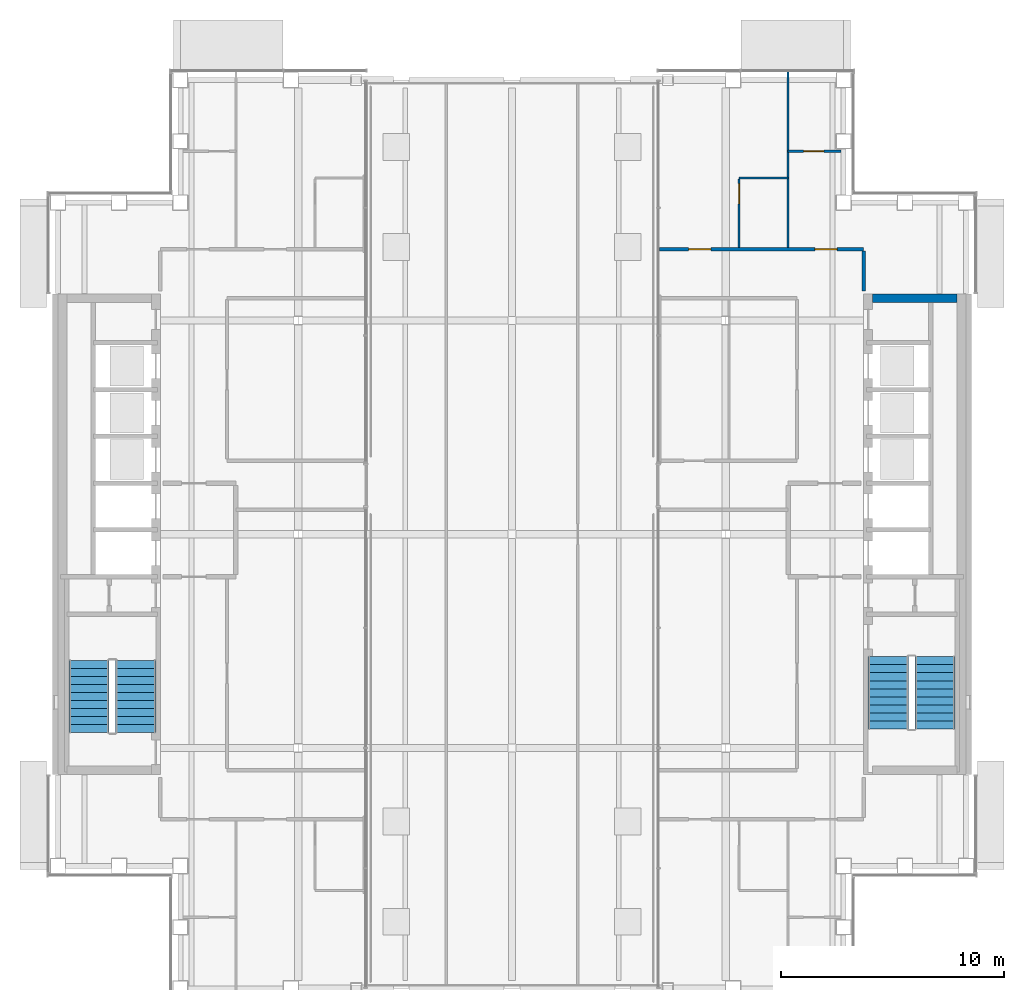
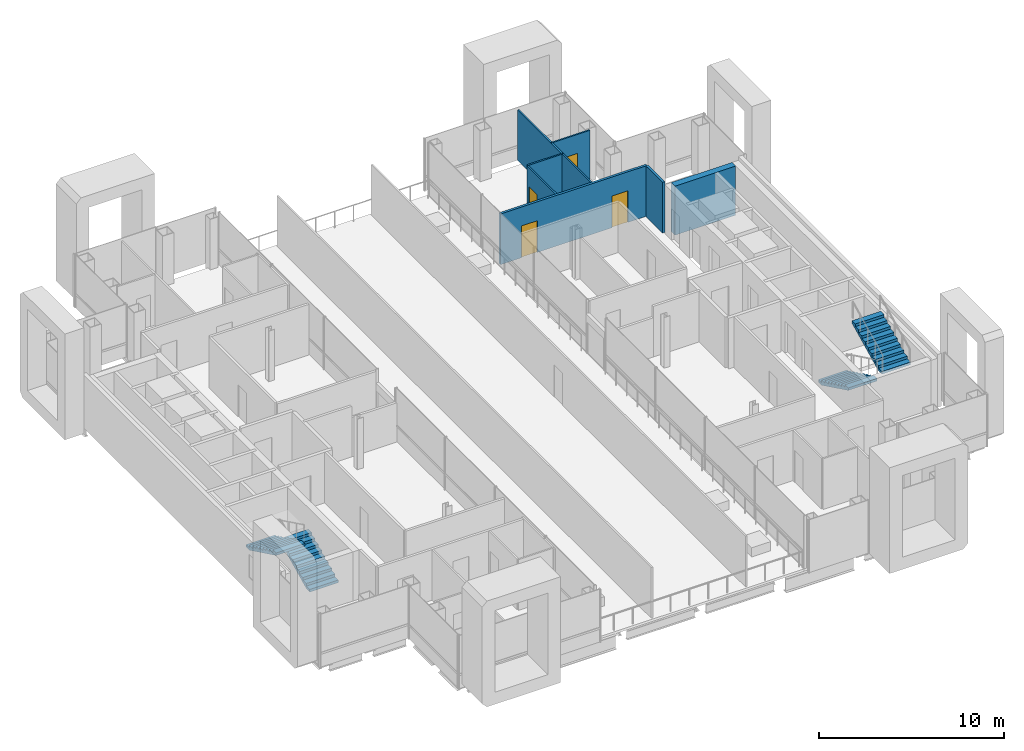
# One storey, part 13 of 17: 7 walls, 4 doors, 4 stair flights, 4 openings, 2 elements without a shape of their own.
"""IFC4 building model written with IfcOpenShell, lengths in metres."""

from ifc_helpers import new_model, si_unit, direction, frame, frame_2d, origin, place, context, subcontext, project, spatial, polyline, rectangle, outline, extrude, material, layer, layer_set, type_object, element, fill, aggregate, save


model = new_model("IFC4")

# Units and contexts
model_context = context("Model", 3, precision=1e-05, world=origin(), true_north=direction((0.0, 1.0)))
body_context = subcontext(model_context, "Body", "Model", "MODEL_VIEW")
ifc_project = project(units=[si_unit("LENGTHUNIT", "METRE"), si_unit("AREAUNIT", "SQUARE_METRE"), si_unit("VOLUMEUNIT", "CUBIC_METRE"), si_unit("PLANEANGLEUNIT", "RADIAN"), si_unit("MASSUNIT", "GRAM", prefix="KILO")], contexts=[model_context])

# Site, building, storey
site_placement = place(None, origin())
site = spatial("IfcSite", under=ifc_project, at=site_placement, CompositionType="ELEMENT")
building_placement = place(site_placement, origin())
building = spatial("IfcBuilding", under=site, at=building_placement, Name="Cobrizo Arcos Hotel Tower", CompositionType="ELEMENT")
storey_placement = place(building_placement, frame((0.0, 0.0, 219.0)))
storey = spatial("IfcBuildingStorey", under=building, at=storey_placement, Name="L57", CompositionType="ELEMENT", Elevation=219.0)

# Wall, openings, doors
ifc_material_1 = material(Name="Gypsum board partition")
ifc_layer_1 = layer(ifc_material_1, 0.14990234375)
ifc_layer_set_1 = layer_set([ifc_layer_1], Name="Corridor wall EI 60 150")
wall_type_1 = type_object("IfcWallType", Name="Corridor wall EI 60 150", PredefinedType="PARTITIONING", material=ifc_layer_set_1)
wall_1_placement = place(storey_placement, frame((6.6201171875, 12.800048828125, 0.0), z_axis=(0.0, 0.0, 1.0), x_axis=(1.0, 0.0, 0.0)))
wall_1 = element("IfcWall", 1, at=wall_1_placement, inside=storey, type_object=wall_type_1, Name="Partition 036", PredefinedType="PARTITIONING", context=body_context, shape_type="SweptSolid", body=[
    extrude(rectangle(XDim=9.179931640625, YDim=0.14990234375, at=frame_2d((4.58984375, 0.0))), origin(), (0.0, 0.0, 1.0), 3.35009765625),
])
opening_1_placement = place(wall_1_placement, frame((1.31396484375, 0.0, 0.0)))
opening_1 = element("IfcOpeningElement", 2, at=opening_1_placement, cuts=wall_1, Name="Opening GD-01", PredefinedType="OPENING", context=body_context, shape_type="SweptSolid", body=[
    extrude(rectangle(XDim=1.0, YDim=2.10009765625, at=frame_2d((0.5, 1.050048828125))), frame((0.0, 0.0869140625, 0.0), z_axis=(0.0, -1.0, 0.0), x_axis=(1.0, 0.0, 0.0)), (0.0, 0.0, 1.0), 0.173828125),
])
opening_2_placement = place(wall_1_placement, frame((6.988037109375, 0.0, 0.0)))
opening_2 = element("IfcOpeningElement", 3, at=opening_2_placement, cuts=wall_1, Name="Opening GD-08", PredefinedType="OPENING", context=body_context, shape_type="SweptSolid", body=[
    extrude(rectangle(XDim=1.0, YDim=2.10009765625, at=frame_2d((0.5, 1.050048828125))), frame((0.0, 0.0869140625, 0.0), z_axis=(0.0, -1.0, 0.0), x_axis=(1.0, 0.0, 0.0)), (0.0, 0.0, 1.0), 0.173828125),
])
ifc_material_2 = material(Name="Timber door leaf", Category="wood")
door_type_1 = type_object("IfcDoorType", Name="Guest room door FD30S 1000x2100", OperationType="SINGLE_SWING_LEFT", PredefinedType="DOOR", material=ifc_material_2)
door_1_placement = place(opening_1_placement, origin())
door_1 = element("IfcDoor", 4, at=door_1_placement, inside=storey, type_object=door_type_1, Name="Door GD-01", OperationType="SINGLE_SWING_LEFT", OverallHeight=2.10009765625, OverallWidth=1.0, PredefinedType="DOOR", context=body_context, shape_type="SweptSolid", body=[
    extrude(rectangle(XDim=1.0, YDim=2.10009765625, at=frame_2d((0.5, 1.050048828125))), frame((0.0, 0.02490234375, 0.0), z_axis=(0.0, -1.0, 0.0), x_axis=(1.0, 0.0, 0.0)), (0.0, 0.0, 1.0), 0.050048828125),
])
fill(opening_1, door_1)
door_2_placement = place(opening_2_placement, origin())
door_2 = element("IfcDoor", 5, at=door_2_placement, inside=storey, type_object=door_type_1, Name="Door GD-08", OperationType="SINGLE_SWING_RIGHT", OverallHeight=2.10009765625, OverallWidth=1.0, PredefinedType="DOOR", context=body_context, shape_type="SweptSolid", body=[
    extrude(rectangle(XDim=1.0, YDim=2.10009765625, at=frame_2d((0.5, 1.050048828125))), frame((0.0, 0.02490234375, 0.0), z_axis=(0.0, -1.0, 0.0), x_axis=(1.0, 0.0, 0.0)), (0.0, 0.0, 1.0), 0.050048828125),
])
fill(opening_2, door_2)

# Walls
wall_2_placement = place(storey_placement, frame((15.800048828125, 10.919921875, 0.0), z_axis=(0.0, 0.0, 1.0), x_axis=(0.0, 1.0, 0.0)))
element("IfcWall", 6, at=wall_2_placement, inside=storey, type_object=wall_type_1, Name="Partition 069", PredefinedType="PARTITIONING", context=body_context, shape_type="SweptSolid", body=[
    extrude(rectangle(XDim=1.80517578125, YDim=0.14990234375, at=frame_2d((0.902587890625, 0.0))), origin(), (0.0, 0.0, 1.0), 3.35009765625),
])
ifc_layer_2 = layer(ifc_material_1, 0.10009765625)
ifc_layer_set_2 = layer_set([ifc_layer_2], Name="Partition EI 30 100")
wall_type_2 = type_object("IfcWallType", Name="Partition EI 30 100", PredefinedType="PARTITIONING", material=ifc_layer_set_2)
wall_3_placement = place(storey_placement, frame((10.199951171875, 16.0, 0.0), z_axis=(0.0, 0.0, 1.0), x_axis=(1.0, 0.0, 0.0)))
element("IfcWall", 7, at=wall_3_placement, inside=storey, type_object=wall_type_2, Name="Partition 038", PredefinedType="PARTITIONING", context=body_context, shape_type="SweptSolid", body=[
    extrude(rectangle(XDim=2.199951171875, YDim=0.10009765625, at=frame_2d((1.10009765625, 0.0))), origin(), (0.0, 0.0, 1.0), 3.35009765625),
])

# Wall, opening, door
wall_4_placement = place(storey_placement, frame((12.39990234375, 17.199951171875, 0.0), z_axis=(0.0, 0.0, 1.0), x_axis=(1.0, 0.0, 0.0)))
wall_4 = element("IfcWall", 8, at=wall_4_placement, inside=storey, type_object=wall_type_2, Name="Partition 040", PredefinedType="PARTITIONING", context=body_context, shape_type="SweptSolid", body=[
    extrude(rectangle(XDim=2.380126953125, YDim=0.10009765625, at=frame_2d((1.18994140625, 0.0))), origin(), (0.0, 0.0, 1.0), 3.35009765625),
])
opening_3_placement = place(wall_4_placement, frame((0.705078125, 0.0, 0.0)))
opening_3 = element("IfcOpeningElement", 9, at=opening_3_placement, cuts=wall_4, Name="Opening ED-08", PredefinedType="OPENING", context=body_context, shape_type="SweptSolid", body=[
    extrude(rectangle(XDim=0.89990234375, YDim=2.10009765625, at=frame_2d((0.449951171875, 1.050048828125))), frame((0.0, 0.06201171875, 0.0), z_axis=(0.0, -1.0, 0.0), x_axis=(1.0, 0.0, 0.0)), (0.0, 0.0, 1.0), 0.1240234375),
])
door_type_2 = type_object("IfcDoorType", Name="En-suite door 900x2100", OperationType="SINGLE_SWING_LEFT", PredefinedType="DOOR", material=ifc_material_2)
door_3_placement = place(opening_3_placement, origin())
door_3 = element("IfcDoor", 10, at=door_3_placement, inside=storey, type_object=door_type_2, Name="Door ED-08", OperationType="SINGLE_SWING_RIGHT", OverallHeight=2.10009765625, OverallWidth=0.89990234375, PredefinedType="DOOR", context=body_context, shape_type="SweptSolid", body=[
    extrude(rectangle(XDim=0.89990234375, YDim=2.10009765625, at=frame_2d((0.449951171875, 1.050048828125))), frame((0.0, 0.02490234375, 0.0), z_axis=(0.0, -1.0, 0.0), x_axis=(1.0, 0.0, 0.0)), (0.0, 0.0, 1.0), 0.050048828125),
])
fill(opening_3, door_3)

wall_5_placement = place(storey_placement, frame((10.199951171875, 12.875, 0.0), z_axis=(0.0, 0.0, 1.0), x_axis=(0.0, 1.0, 0.0)))
wall_5 = element("IfcWall", 11, at=wall_5_placement, inside=storey, type_object=wall_type_2, Name="Partition 062", PredefinedType="PARTITIONING", context=body_context, shape_type="SweptSolid", body=[
    extrude(rectangle(XDim=3.074951171875, YDim=0.10009765625, at=frame_2d((1.53759765625, 0.0))), origin(), (0.0, 0.0, 1.0), 3.35009765625),
])
opening_4_placement = place(wall_5_placement, frame((1.970947265625, 0.0, 0.0)))
opening_4 = element("IfcOpeningElement", 12, at=opening_4_placement, cuts=wall_5, Name="Opening ED-01", PredefinedType="OPENING", context=body_context, shape_type="SweptSolid", body=[
    extrude(rectangle(XDim=0.89990234375, YDim=2.10009765625, at=frame_2d((0.449951171875, 1.050048828125))), frame((0.0, 0.06201171875, 0.0), z_axis=(0.0, -1.0, 0.0), x_axis=(1.0, 0.0, 0.0)), (0.0, 0.0, 1.0), 0.1240234375),
])
door_4_placement = place(opening_4_placement, origin())
door_4 = element("IfcDoor", 13, at=door_4_placement, inside=storey, type_object=door_type_2, Name="Door ED-01", OperationType="SINGLE_SWING_LEFT", OverallHeight=2.10009765625, OverallWidth=0.89990234375, PredefinedType="DOOR", context=body_context, shape_type="SweptSolid", body=[
    extrude(rectangle(XDim=0.89990234375, YDim=2.10009765625, at=frame_2d((0.449951171875, 1.050048828125))), frame((0.0, 0.02490234375, 0.0), z_axis=(0.0, -1.0, 0.0), x_axis=(1.0, 0.0, 0.0)), (0.0, 0.0, 1.0), 0.050048828125),
])
fill(opening_4, door_4)

# Walls
wall_6_placement = place(storey_placement, frame((12.39990234375, 12.875, 0.0), z_axis=(0.0, 0.0, 1.0), x_axis=(0.0, 1.0, 0.0)))
element("IfcWall", 14, at=wall_6_placement, inside=storey, type_object=wall_type_2, Name="Partition 065", PredefinedType="PARTITIONING", context=body_context, shape_type="SweptSolid", body=[
    extrude(rectangle(XDim=7.905029296875, YDim=0.10009765625, at=frame_2d((3.95263671875, 0.0))), origin(), (0.0, 0.0, 1.0), 3.35009765625),
])
ifc_material_3 = material(Name="Concrete f'c 40 MPa", Category="concrete")
ifc_layer_3 = layer(ifc_material_3, 0.39990234375)
ifc_layer_set_3 = layer_set([ifc_layer_3], Name="RC core wall 400 f'c 40")
wall_type_3 = type_object("IfcWallType", Name="RC core wall 400 f'c 40", PredefinedType="SHEAR", material=ifc_layer_set_3)
wall_7_placement = place(storey_placement, frame((16.199951171875, 10.60009765625, 0.0), z_axis=(0.0, 0.0, 1.0), x_axis=(1.0, 0.0, 0.0)))
element("IfcWall", 15, at=wall_7_placement, inside=storey, type_object=wall_type_3, Name="Core wall CW4, east core, north end, L57", PredefinedType="SHEAR", context=body_context, shape_type="SweptSolid", body=[
    extrude(rectangle(XDim=3.800048828125, YDim=0.39990234375, at=frame_2d((1.89990234375, 0.0))), origin(), (0.0, 0.0, 1.0), 3.25),
])

# Stair, stair flights
stair_type = type_object("IfcStairType", Name="Exit stair", PredefinedType="HALF_TURN_STAIR", material=ifc_material_3)
stair_1_placement = place(storey_placement, origin())
stair_1 = element("IfcStair", 16, at=stair_1_placement, inside=storey, type_object=stair_type, Name="L57 Exit stair ST-W", PredefinedType="HALF_TURN_STAIR")
stair_flight_type = type_object("IfcStairFlightType", Name="Exit stair flight", PredefinedType="STRAIGHT", material=ifc_material_3)
stair_flight_1_placement = place(storey_placement, frame((-16.89990234375, -8.89990234375, 0.0), z_axis=(0.0, 0.0, 1.0), x_axis=(0.0, 1.0, 0.0)))
stair_flight_1 = element("IfcStairFlight", 17, at=stair_flight_1_placement, type_object=stair_flight_type, Name="ST-W flight 1", NumberOfRisers=10, NumberOfTreads=9, PredefinedType="STRAIGHT", RiserHeight=0.175, TreadLength=0.36, context=body_context, shape_type="SweptSolid", body=[
    extrude(outline(polyline([(0.0, 0.0), (0.0, 0.175048828125), (0.360107421875, 0.175048828125), (0.360107421875, 0.35009765625), (0.719970703125, 0.35009765625), (0.719970703125, 0.52490234375), (1.080078125, 0.52490234375), (1.080078125, 0.699951171875), (1.43994140625, 0.699951171875), (1.43994140625, 0.875), (1.800048828125, 0.875), (1.800048828125, 1.050048828125), (2.159912109375, 1.050048828125), (2.159912109375, 1.22509765625), (2.52001953125, 1.22509765625), (2.52001953125, 1.39990234375), (2.8798828125, 1.39990234375), (2.8798828125, 1.574951171875), (3.239990234375, 1.574951171875), (3.239990234375, 1.75), (3.239990234375, 1.408203125), (0.3427734375, 0.0), (0.0, 0.0)])), frame((0.0, 0.89990234375, 0.0), z_axis=(0.0, -1.0, 0.0), x_axis=(1.0, 0.0, 0.0)), (0.0, 0.0, 1.0), 1.800048828125),
])
stair_flight_2_placement = place(storey_placement, frame((-19.0, -5.659912109375, 1.75), z_axis=(0.0, 0.0, 1.0), x_axis=(0.0, -1.0, 0.0)))
stair_flight_2 = element("IfcStairFlight", 18, at=stair_flight_2_placement, type_object=stair_flight_type, Name="ST-W flight 2", NumberOfRisers=10, NumberOfTreads=9, PredefinedType="STRAIGHT", RiserHeight=0.175, TreadLength=0.36, context=body_context, shape_type="SweptSolid", body=[
    extrude(outline(polyline([(0.0, 0.0), (0.0, 0.175048828125), (0.360107421875, 0.175048828125), (0.360107421875, 0.35009765625), (0.719970703125, 0.35009765625), (0.719970703125, 0.52490234375), (1.080078125, 0.52490234375), (1.080078125, 0.699951171875), (1.43994140625, 0.699951171875), (1.43994140625, 0.875), (1.800048828125, 0.875), (1.800048828125, 1.050048828125), (2.159912109375, 1.050048828125), (2.159912109375, 1.22509765625), (2.52001953125, 1.22509765625), (2.52001953125, 1.39990234375), (2.8798828125, 1.39990234375), (2.8798828125, 1.574951171875), (3.239990234375, 1.574951171875), (3.239990234375, 1.75), (3.239990234375, 1.408203125), (0.3427734375, 0.0), (0.0, 0.0)])), frame((0.0, 0.89990234375, 0.0), z_axis=(0.0, -1.0, 0.0), x_axis=(1.0, 0.0, 0.0)), (0.0, 0.0, 1.0), 1.800048828125),
])
aggregate(stair_1, [stair_flight_1, stair_flight_2])

stair_2_placement = place(storey_placement, origin())
stair_2 = element("IfcStair", 19, at=stair_2_placement, inside=storey, type_object=stair_type, Name="L57 Exit stair ST-E", PredefinedType="HALF_TURN_STAIR")
stair_flight_3_placement = place(storey_placement, frame((16.89990234375, -5.5, 0.0), z_axis=(0.0, 0.0, 1.0), x_axis=(0.0, -1.0, 0.0)))
stair_flight_3 = element("IfcStairFlight", 20, at=stair_flight_3_placement, type_object=stair_flight_type, Name="ST-E flight 1", NumberOfRisers=10, NumberOfTreads=9, PredefinedType="STRAIGHT", RiserHeight=0.175, TreadLength=0.36, context=body_context, shape_type="SweptSolid", body=[
    extrude(outline(polyline([(0.0, 0.0), (0.0, 0.175048828125), (0.360107421875, 0.175048828125), (0.360107421875, 0.35009765625), (0.719970703125, 0.35009765625), (0.719970703125, 0.52490234375), (1.080078125, 0.52490234375), (1.080078125, 0.699951171875), (1.43994140625, 0.699951171875), (1.43994140625, 0.875), (1.800048828125, 0.875), (1.800048828125, 1.050048828125), (2.159912109375, 1.050048828125), (2.159912109375, 1.22509765625), (2.52001953125, 1.22509765625), (2.52001953125, 1.39990234375), (2.8798828125, 1.39990234375), (2.8798828125, 1.574951171875), (3.239990234375, 1.574951171875), (3.239990234375, 1.75), (3.239990234375, 1.408203125), (0.3427734375, 0.0), (0.0, 0.0)])), frame((0.0, 0.89990234375, 0.0), z_axis=(0.0, -1.0, 0.0), x_axis=(1.0, 0.0, 0.0)), (0.0, 0.0, 1.0), 1.800048828125),
])
stair_flight_4_placement = place(storey_placement, frame((19.0, -8.739990234375, 1.75), z_axis=(0.0, 0.0, 1.0), x_axis=(0.0, 1.0, 0.0)))
stair_flight_4 = element("IfcStairFlight", 21, at=stair_flight_4_placement, type_object=stair_flight_type, Name="ST-E flight 2", NumberOfRisers=10, NumberOfTreads=9, PredefinedType="STRAIGHT", RiserHeight=0.175, TreadLength=0.36, context=body_context, shape_type="SweptSolid", body=[
    extrude(outline(polyline([(0.0, 0.0), (0.0, 0.175048828125), (0.360107421875, 0.175048828125), (0.360107421875, 0.35009765625), (0.719970703125, 0.35009765625), (0.719970703125, 0.52490234375), (1.080078125, 0.52490234375), (1.080078125, 0.699951171875), (1.43994140625, 0.699951171875), (1.43994140625, 0.875), (1.800048828125, 0.875), (1.800048828125, 1.050048828125), (2.159912109375, 1.050048828125), (2.159912109375, 1.22509765625), (2.52001953125, 1.22509765625), (2.52001953125, 1.39990234375), (2.8798828125, 1.39990234375), (2.8798828125, 1.574951171875), (3.239990234375, 1.574951171875), (3.239990234375, 1.75), (3.239990234375, 1.408203125), (0.3427734375, 0.0), (0.0, 0.0)])), frame((0.0, 0.89990234375, 0.0), z_axis=(0.0, -1.0, 0.0), x_axis=(1.0, 0.0, 0.0)), (0.0, 0.0, 1.0), 1.800048828125),
])
aggregate(stair_2, [stair_flight_3, stair_flight_4])

save(model, "model.ifc")
